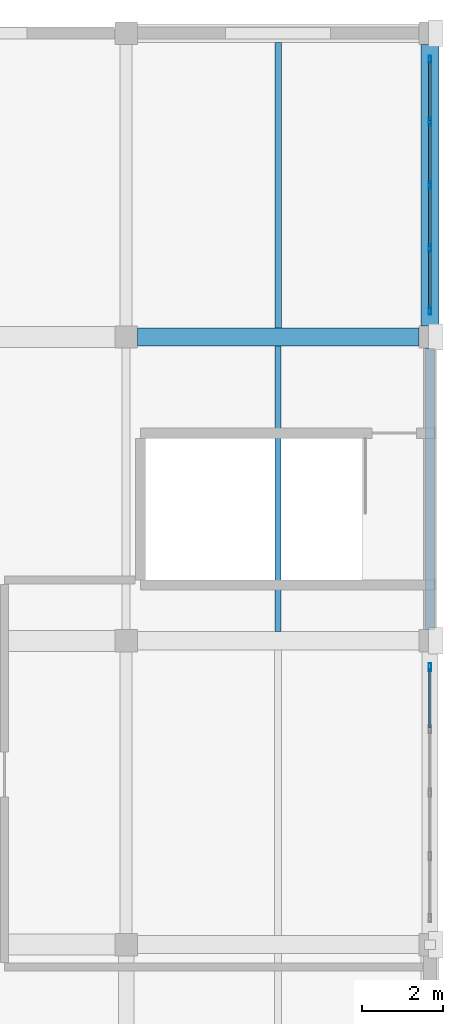
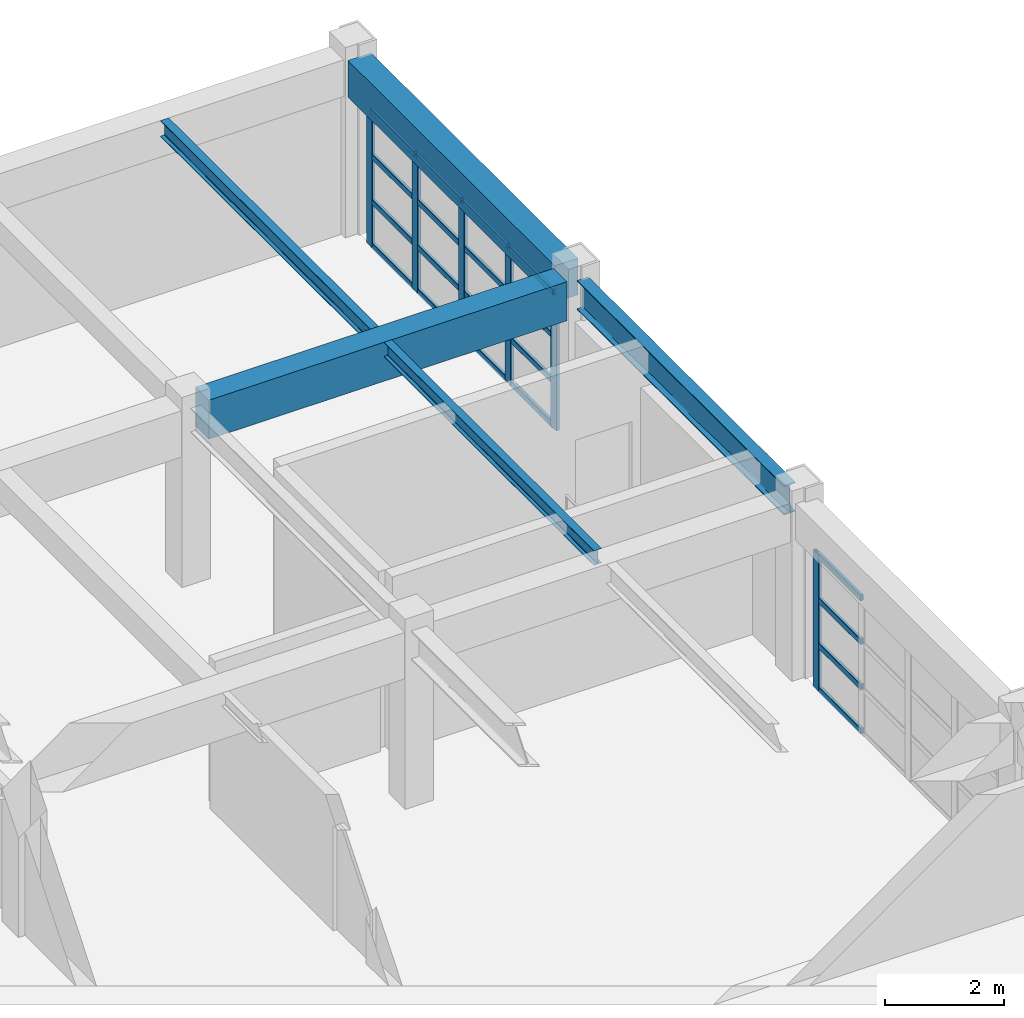
# One storey, part 60 of 101: 26 members, 5 beams, 2 elements without a shape of their own.
"""IFC4 building model written with IfcOpenShell, lengths in metres."""

from ifc_helpers import new_model, si_unit, direction, frame, origin, origin_2d, place, context, subcontext, project, spatial, rectangle, hollow_rectangle, i_section, extrude, material, material_profile, profile_set, type_object, element, aggregate, save


model = new_model("IFC4")

# Units and contexts
model_context = context("Model", 3, precision=1e-05, world=origin(), true_north=direction((0.0, 1.0)))
body_context = subcontext(model_context, "Body", "Model", "MODEL_VIEW")
ifc_project = project(units=[si_unit("LENGTHUNIT", "METRE"), si_unit("AREAUNIT", "SQUARE_METRE"), si_unit("VOLUMEUNIT", "CUBIC_METRE"), si_unit("PLANEANGLEUNIT", "RADIAN"), si_unit("MASSUNIT", "GRAM", prefix="KILO")], contexts=[model_context])

# Site, building, storey
site_placement = place(None, origin())
site = spatial("IfcSite", under=ifc_project, at=site_placement, CompositionType="ELEMENT")
building_placement = place(site_placement, origin())
building = spatial("IfcBuilding", under=site, at=building_placement, Name="Qasida Concert Hall", CompositionType="ELEMENT")
storey_placement = place(building_placement, frame((0.0, 0.0, 13.199951171875)))
storey = spatial("IfcBuildingStorey", under=building, at=storey_placement, Name="L03", CompositionType="ELEMENT", Elevation=13.199951171875)

# Beams
ifc_material_1 = material(Name="Concrete C40/50", Category="concrete")
ifc_material_profile_1 = material_profile(ifc_material_1, rectangle(XDim=0.449951171875, YDim=0.800048828125, at=origin_2d()), Name="RC 450x800")
ifc_profile_set_1 = profile_set([ifc_material_profile_1], Name="Concrete C40/50")
beam_type_1 = type_object("IfcBeamType", Name="BM-G2", PredefinedType="USERDEFINED", material=ifc_profile_set_1)
beam_1_placement = place(storey_placement, frame((157.77490234375, 105.0, 3.219970703125), z_axis=(1.0, 0.0, 0.0), x_axis=(0.0, 1.0, 0.0)))
element("IfcBeam", 1, at=beam_1_placement, inside=storey, type_object=beam_type_1, Name="Primary girder 1680", ObjectType="GIRDER", PredefinedType="USERDEFINED", context=body_context, shape_type="SweptSolid", body=[
    extrude(rectangle(XDim=0.449951171875, YDim=0.800048828125, at=origin_2d()), origin(), (0.0, 0.0, 1.0), 6.9501953125),
])
ifc_material_2 = material(Name="Steel S355J2", Category="steel")
ifc_material_profile_2 = material_profile(ifc_material_2, i_section(OverallWidth=0.14990234375, OverallDepth=0.300048828125, WebThickness=0.007080078125, FlangeThickness=0.0107421875, FilletRadius=0.014892578125, at=origin_2d()), Name="IPE 300")
ifc_profile_set_2 = profile_set([ifc_material_profile_2], Name="Steel S355J2")
beam_type_2 = type_object("IfcBeamType", Name="BM-J4", PredefinedType="JOIST", material=ifc_profile_set_2)
beam_2_placement = place(storey_placement, frame((161.25, 97.72509765625, 3.469970703125), z_axis=(0.0, 1.0, 0.0), x_axis=(-1.0, 0.0, 0.0)))
element("IfcBeam", 2, at=beam_2_placement, inside=storey, type_object=beam_type_2, Name="L03 secondary joist 1731", PredefinedType="JOIST", context=body_context, shape_type="SweptSolid", body=[
    extrude(i_section(OverallWidth=0.14990234375, OverallDepth=0.300048828125, WebThickness=0.007080078125, FlangeThickness=0.0107421875, FilletRadius=0.014892578125, at=origin_2d()), origin(), (0.0, 0.0, 1.0), 7.0498046875),
])
ifc_material_profile_3 = material_profile(ifc_material_2, i_section(OverallWidth=0.159912109375, OverallDepth=0.330078125, WebThickness=0.007568359375, FlangeThickness=0.011474609375, FilletRadius=0.01806640625, at=origin_2d()), Name="IPE 330")
ifc_profile_set_3 = profile_set([ifc_material_profile_3], Name="Steel S355J2")
beam_type_3 = type_object("IfcBeamType", Name="BM-J5", PredefinedType="JOIST", material=ifc_profile_set_3)
beam_3_placement = place(storey_placement, frame((161.25, 105.22509765625, 3.455078125), z_axis=(0.0, 1.0, 0.0), x_axis=(-1.0, 0.0, 0.0)))
element("IfcBeam", 3, at=beam_3_placement, inside=storey, type_object=beam_type_3, Name="L03 secondary joist 1732", PredefinedType="JOIST", context=body_context, shape_type="SweptSolid", body=[
    extrude(i_section(OverallWidth=0.159912109375, OverallDepth=0.330078125, WebThickness=0.007568359375, FlangeThickness=0.011474609375, FilletRadius=0.01806640625, at=origin_2d()), origin(), (0.0, 0.0, 1.0), 7.0498046875),
])
ifc_material_profile_4 = material_profile(ifc_material_2, i_section(OverallWidth=0.219970703125, OverallDepth=0.60009765625, WebThickness=0.011962890625, FlangeThickness=0.01904296875, FilletRadius=0.02392578125, at=origin_2d()), Name="IPE 600")
ifc_profile_set_4 = profile_set([ifc_material_profile_4], Name="Steel S355J2")
beam_type_4 = type_object("IfcBeamType", Name="BM-SP3", PredefinedType="SPANDREL", material=ifc_profile_set_4)
beam_4_placement = place(storey_placement, frame((165.0, 97.77490234375, 3.320068359375), z_axis=(0.0, 1.0, 0.0), x_axis=(-1.0, 0.0, 0.0)))
element("IfcBeam", 4, at=beam_4_placement, inside=storey, type_object=beam_type_4, Name="L03 girder 1712", PredefinedType="SPANDREL", context=body_context, shape_type="SweptSolid", body=[
    extrude(i_section(OverallWidth=0.219970703125, OverallDepth=0.60009765625, WebThickness=0.011962890625, FlangeThickness=0.01904296875, FilletRadius=0.02392578125, at=origin_2d()), origin(), (0.0, 0.0, 1.0), 6.9501953125),
])
ifc_material_profile_5 = material_profile(ifc_material_1, rectangle(XDim=0.449951171875, YDim=0.75, at=origin_2d()), Name="RC 450x750")
ifc_profile_set_5 = profile_set([ifc_material_profile_5], Name="Concrete C40/50")
beam_type_5 = type_object("IfcBeamType", Name="BM-SP4", PredefinedType="SPANDREL", material=ifc_profile_set_5)
beam_5_placement = place(storey_placement, frame((165.0, 105.27490234375, 3.2451171875), z_axis=(0.0, 1.0, 0.0), x_axis=(-1.0, 0.0, 0.0)))
element("IfcBeam", 5, at=beam_5_placement, inside=storey, type_object=beam_type_5, Name="L03 girder 1713", PredefinedType="SPANDREL", context=body_context, shape_type="SweptSolid", body=[
    extrude(rectangle(XDim=0.449951171875, YDim=0.75, at=origin_2d()), origin(), (0.0, 0.0, 1.0), 6.9501953125),
])

# Curtain wall, member
ifc_material_3 = material(Name="Architectural bronze-anodized aluminium and low-E glass", Category="aluminium")
curtain_wall_type = type_object("IfcCurtainWallType", Name="CW-11", PredefinedType="NOTDEFINED", material=ifc_material_3)
curtain_wall_1_placement = place(storey_placement, origin())
curtain_wall_1 = element("IfcCurtainWall", 6, at=curtain_wall_1_placement, inside=storey, type_object=curtain_wall_type, Name="L03 curtain wall CW-11 0178", PredefinedType="NOTDEFINED")
ifc_material_4 = material(Name="Architectural bronze-anodized aluminium EN AW-6063", Category="aluminium")
ifc_material_profile_6 = material_profile(ifc_material_4, hollow_rectangle(XDim=0.06494140625, YDim=0.199951171875, WallThickness=0.0048828125, InnerFilletRadius=0.0048828125, OuterFilletRadius=0.010009765625, at=origin_2d()), Name="CWM 200x65x5")
ifc_profile_set_6 = profile_set([ifc_material_profile_6], Name="Architectural bronze-anodized aluminium EN AW-6063")
member_type_1 = type_object("IfcMemberType", Name="MB-CWM-2", PredefinedType="MULLION", material=ifc_profile_set_6)
member_1_placement = place(storey_placement, frame((165.0, 96.847412109375, 0.0), z_axis=(0.0, 0.0, 1.0), x_axis=(-1.0, 0.0, 0.0)))
member_1 = element("IfcMember", 7, at=member_1_placement, type_object=member_type_1, Name="CW-11 mullion 5", PredefinedType="MULLION", context=body_context, shape_type="SweptSolid", body=[
    extrude(hollow_rectangle(XDim=0.06494140625, YDim=0.199951171875, WallThickness=0.0048828125, InnerFilletRadius=0.0048828125, OuterFilletRadius=0.010009765625, at=origin_2d()), origin(), (0.0, 0.0, 1.0), 2.7900390625),
])

# Curtain wall, members
curtain_wall_2_placement = place(storey_placement, origin())
curtain_wall_2 = element("IfcCurtainWall", 8, at=curtain_wall_2_placement, inside=storey, type_object=curtain_wall_type, Name="L03 curtain wall CW-11 0179", PredefinedType="NOTDEFINED")
member_2_placement = place(storey_placement, frame((165.0, 105.652587890625, 0.0), z_axis=(0.0, 0.0, 1.0), x_axis=(-1.0, 0.0, 0.0)))
member_2 = element("IfcMember", 9, at=member_2_placement, type_object=member_type_1, Name="CW-11 mullion 1", PredefinedType="MULLION", context=body_context, shape_type="SweptSolid", body=[
    extrude(hollow_rectangle(XDim=0.06494140625, YDim=0.199951171875, WallThickness=0.0048828125, InnerFilletRadius=0.0048828125, OuterFilletRadius=0.010009765625, at=origin_2d()), origin(), (0.0, 0.0, 1.0), 2.7900390625),
])
member_3_placement = place(storey_placement, frame((165.0, 107.18505859375, 0.0), z_axis=(0.0, 0.0, 1.0), x_axis=(-1.0, 0.0, 0.0)))
member_3 = element("IfcMember", 10, at=member_3_placement, type_object=member_type_1, Name="CW-11 mullion 2", PredefinedType="MULLION", context=body_context, shape_type="SweptSolid", body=[
    extrude(hollow_rectangle(XDim=0.06494140625, YDim=0.199951171875, WallThickness=0.0048828125, InnerFilletRadius=0.0048828125, OuterFilletRadius=0.010009765625, at=origin_2d()), origin(), (0.0, 0.0, 1.0), 2.7900390625),
])
member_4_placement = place(storey_placement, frame((165.0, 108.75, 0.0), z_axis=(0.0, 0.0, 1.0), x_axis=(-1.0, 0.0, 0.0)))
member_4 = element("IfcMember", 11, at=member_4_placement, type_object=member_type_1, Name="CW-11 mullion 3", PredefinedType="MULLION", context=body_context, shape_type="SweptSolid", body=[
    extrude(hollow_rectangle(XDim=0.06494140625, YDim=0.199951171875, WallThickness=0.0048828125, InnerFilletRadius=0.0048828125, OuterFilletRadius=0.010009765625, at=origin_2d()), origin(), (0.0, 0.0, 1.0), 2.7900390625),
])
member_5_placement = place(storey_placement, frame((165.0, 110.31494140625, 0.0), z_axis=(0.0, 0.0, 1.0), x_axis=(-1.0, 0.0, 0.0)))
member_5 = element("IfcMember", 12, at=member_5_placement, type_object=member_type_1, Name="CW-11 mullion 4", PredefinedType="MULLION", context=body_context, shape_type="SweptSolid", body=[
    extrude(hollow_rectangle(XDim=0.06494140625, YDim=0.199951171875, WallThickness=0.0048828125, InnerFilletRadius=0.0048828125, OuterFilletRadius=0.010009765625, at=origin_2d()), origin(), (0.0, 0.0, 1.0), 2.7900390625),
])
member_6_placement = place(storey_placement, frame((165.0, 111.847412109375, 0.0), z_axis=(0.0, 0.0, 1.0), x_axis=(-1.0, 0.0, 0.0)))
member_6 = element("IfcMember", 13, at=member_6_placement, type_object=member_type_1, Name="CW-11 mullion 5", PredefinedType="MULLION", context=body_context, shape_type="SweptSolid", body=[
    extrude(hollow_rectangle(XDim=0.06494140625, YDim=0.199951171875, WallThickness=0.0048828125, InnerFilletRadius=0.0048828125, OuterFilletRadius=0.010009765625, at=origin_2d()), origin(), (0.0, 0.0, 1.0), 2.7900390625),
])

# Member
ifc_material_profile_7 = material_profile(ifc_material_4, hollow_rectangle(XDim=0.06005859375, YDim=0.1201171875, WallThickness=0.00390625, InnerFilletRadius=0.00390625, OuterFilletRadius=0.008056640625, at=origin_2d()), Name="CWT 120x60x4")
ifc_profile_set_7 = profile_set([ifc_material_profile_7], Name="Architectural bronze-anodized aluminium EN AW-6063")
member_type_2 = type_object("IfcMemberType", Name="MB-CWT-2", PredefinedType="USERDEFINED", material=ifc_profile_set_7)
member_7_placement = place(storey_placement, frame((165.0, 95.347412109375, 0.030029296875), z_axis=(0.0, 1.0, 0.0), x_axis=(-1.0, 0.0, 0.0)))
member_7 = element("IfcMember", 14, at=member_7_placement, type_object=member_type_2, Name="CW-11 transom 4.1", ObjectType="TRANSOM", PredefinedType="USERDEFINED", context=body_context, shape_type="SweptSolid", body=[
    extrude(hollow_rectangle(XDim=0.06005859375, YDim=0.1201171875, WallThickness=0.00390625, InnerFilletRadius=0.00390625, OuterFilletRadius=0.008056640625, at=origin_2d()), origin(), (0.0, 0.0, 1.0), 1.467529296875),
])

member_8_placement = place(storey_placement, frame((165.0, 95.347412109375, 0.929931640625), z_axis=(0.0, 1.0, 0.0), x_axis=(-1.0, 0.0, 0.0)))
member_8 = element("IfcMember", 15, at=member_8_placement, type_object=member_type_2, Name="CW-11 transom 4.2", ObjectType="TRANSOM", PredefinedType="USERDEFINED", context=body_context, shape_type="SweptSolid", body=[
    extrude(hollow_rectangle(XDim=0.06005859375, YDim=0.1201171875, WallThickness=0.00390625, InnerFilletRadius=0.00390625, OuterFilletRadius=0.008056640625, at=origin_2d()), origin(), (0.0, 0.0, 1.0), 1.467529296875),
])

member_9_placement = place(storey_placement, frame((165.0, 95.347412109375, 1.860107421875), z_axis=(0.0, 1.0, 0.0), x_axis=(-1.0, 0.0, 0.0)))
member_9 = element("IfcMember", 16, at=member_9_placement, type_object=member_type_2, Name="CW-11 transom 4.3", ObjectType="TRANSOM", PredefinedType="USERDEFINED", context=body_context, shape_type="SweptSolid", body=[
    extrude(hollow_rectangle(XDim=0.06005859375, YDim=0.1201171875, WallThickness=0.00390625, InnerFilletRadius=0.00390625, OuterFilletRadius=0.008056640625, at=origin_2d()), origin(), (0.0, 0.0, 1.0), 1.467529296875),
])

member_10_placement = place(storey_placement, frame((165.0, 95.347412109375, 2.760009765625), z_axis=(0.0, 1.0, 0.0), x_axis=(-1.0, 0.0, 0.0)))
member_10 = element("IfcMember", 17, at=member_10_placement, type_object=member_type_2, Name="CW-11 transom 4.4", ObjectType="TRANSOM", PredefinedType="USERDEFINED", context=body_context, shape_type="SweptSolid", body=[
    extrude(hollow_rectangle(XDim=0.06005859375, YDim=0.1201171875, WallThickness=0.00390625, InnerFilletRadius=0.00390625, OuterFilletRadius=0.008056640625, at=origin_2d()), origin(), (0.0, 0.0, 1.0), 1.467529296875),
])

aggregate(curtain_wall_1, [member_1, member_7, member_8, member_9, member_10])

member_11_placement = place(storey_placement, frame((165.0, 105.68505859375, 0.030029296875), z_axis=(0.0, 1.0, 0.0), x_axis=(-1.0, 0.0, 0.0)))
member_11 = element("IfcMember", 18, at=member_11_placement, type_object=member_type_2, Name="CW-11 transom 1.1", ObjectType="TRANSOM", PredefinedType="USERDEFINED", context=body_context, shape_type="SweptSolid", body=[
    extrude(hollow_rectangle(XDim=0.06005859375, YDim=0.1201171875, WallThickness=0.00390625, InnerFilletRadius=0.00390625, OuterFilletRadius=0.008056640625, at=origin_2d()), origin(), (0.0, 0.0, 1.0), 1.467529296875),
])

member_12_placement = place(storey_placement, frame((165.0, 105.68505859375, 0.929931640625), z_axis=(0.0, 1.0, 0.0), x_axis=(-1.0, 0.0, 0.0)))
member_12 = element("IfcMember", 19, at=member_12_placement, type_object=member_type_2, Name="CW-11 transom 1.2", ObjectType="TRANSOM", PredefinedType="USERDEFINED", context=body_context, shape_type="SweptSolid", body=[
    extrude(hollow_rectangle(XDim=0.06005859375, YDim=0.1201171875, WallThickness=0.00390625, InnerFilletRadius=0.00390625, OuterFilletRadius=0.008056640625, at=origin_2d()), origin(), (0.0, 0.0, 1.0), 1.467529296875),
])

member_13_placement = place(storey_placement, frame((165.0, 105.68505859375, 1.860107421875), z_axis=(0.0, 1.0, 0.0), x_axis=(-1.0, 0.0, 0.0)))
member_13 = element("IfcMember", 20, at=member_13_placement, type_object=member_type_2, Name="CW-11 transom 1.3", ObjectType="TRANSOM", PredefinedType="USERDEFINED", context=body_context, shape_type="SweptSolid", body=[
    extrude(hollow_rectangle(XDim=0.06005859375, YDim=0.1201171875, WallThickness=0.00390625, InnerFilletRadius=0.00390625, OuterFilletRadius=0.008056640625, at=origin_2d()), origin(), (0.0, 0.0, 1.0), 1.467529296875),
])

member_14_placement = place(storey_placement, frame((165.0, 105.68505859375, 2.760009765625), z_axis=(0.0, 1.0, 0.0), x_axis=(-1.0, 0.0, 0.0)))
member_14 = element("IfcMember", 21, at=member_14_placement, type_object=member_type_2, Name="CW-11 transom 1.4", ObjectType="TRANSOM", PredefinedType="USERDEFINED", context=body_context, shape_type="SweptSolid", body=[
    extrude(hollow_rectangle(XDim=0.06005859375, YDim=0.1201171875, WallThickness=0.00390625, InnerFilletRadius=0.00390625, OuterFilletRadius=0.008056640625, at=origin_2d()), origin(), (0.0, 0.0, 1.0), 1.467529296875),
])

member_15_placement = place(storey_placement, frame((165.0, 107.217529296875, 0.030029296875), z_axis=(0.0, 1.0, 0.0), x_axis=(-1.0, 0.0, 0.0)))
member_15 = element("IfcMember", 22, at=member_15_placement, type_object=member_type_2, Name="CW-11 transom 2.1", ObjectType="TRANSOM", PredefinedType="USERDEFINED", context=body_context, shape_type="SweptSolid", body=[
    extrude(hollow_rectangle(XDim=0.06005859375, YDim=0.1201171875, WallThickness=0.00390625, InnerFilletRadius=0.00390625, OuterFilletRadius=0.008056640625, at=origin_2d()), origin(), (0.0, 0.0, 1.0), 1.5),
])

member_16_placement = place(storey_placement, frame((165.0, 107.217529296875, 0.929931640625), z_axis=(0.0, 1.0, 0.0), x_axis=(-1.0, 0.0, 0.0)))
member_16 = element("IfcMember", 23, at=member_16_placement, type_object=member_type_2, Name="CW-11 transom 2.2", ObjectType="TRANSOM", PredefinedType="USERDEFINED", context=body_context, shape_type="SweptSolid", body=[
    extrude(hollow_rectangle(XDim=0.06005859375, YDim=0.1201171875, WallThickness=0.00390625, InnerFilletRadius=0.00390625, OuterFilletRadius=0.008056640625, at=origin_2d()), origin(), (0.0, 0.0, 1.0), 1.5),
])

member_17_placement = place(storey_placement, frame((165.0, 107.217529296875, 1.860107421875), z_axis=(0.0, 1.0, 0.0), x_axis=(-1.0, 0.0, 0.0)))
member_17 = element("IfcMember", 24, at=member_17_placement, type_object=member_type_2, Name="CW-11 transom 2.3", ObjectType="TRANSOM", PredefinedType="USERDEFINED", context=body_context, shape_type="SweptSolid", body=[
    extrude(hollow_rectangle(XDim=0.06005859375, YDim=0.1201171875, WallThickness=0.00390625, InnerFilletRadius=0.00390625, OuterFilletRadius=0.008056640625, at=origin_2d()), origin(), (0.0, 0.0, 1.0), 1.5),
])

member_18_placement = place(storey_placement, frame((165.0, 107.217529296875, 2.760009765625), z_axis=(0.0, 1.0, 0.0), x_axis=(-1.0, 0.0, 0.0)))
member_18 = element("IfcMember", 25, at=member_18_placement, type_object=member_type_2, Name="CW-11 transom 2.4", ObjectType="TRANSOM", PredefinedType="USERDEFINED", context=body_context, shape_type="SweptSolid", body=[
    extrude(hollow_rectangle(XDim=0.06005859375, YDim=0.1201171875, WallThickness=0.00390625, InnerFilletRadius=0.00390625, OuterFilletRadius=0.008056640625, at=origin_2d()), origin(), (0.0, 0.0, 1.0), 1.5),
])

member_19_placement = place(storey_placement, frame((165.0, 108.782470703125, 0.030029296875), z_axis=(0.0, 1.0, 0.0), x_axis=(-1.0, 0.0, 0.0)))
member_19 = element("IfcMember", 26, at=member_19_placement, type_object=member_type_2, Name="CW-11 transom 3.1", ObjectType="TRANSOM", PredefinedType="USERDEFINED", context=body_context, shape_type="SweptSolid", body=[
    extrude(hollow_rectangle(XDim=0.06005859375, YDim=0.1201171875, WallThickness=0.00390625, InnerFilletRadius=0.00390625, OuterFilletRadius=0.008056640625, at=origin_2d()), origin(), (0.0, 0.0, 1.0), 1.5),
])

member_20_placement = place(storey_placement, frame((165.0, 108.782470703125, 0.929931640625), z_axis=(0.0, 1.0, 0.0), x_axis=(-1.0, 0.0, 0.0)))
member_20 = element("IfcMember", 27, at=member_20_placement, type_object=member_type_2, Name="CW-11 transom 3.2", ObjectType="TRANSOM", PredefinedType="USERDEFINED", context=body_context, shape_type="SweptSolid", body=[
    extrude(hollow_rectangle(XDim=0.06005859375, YDim=0.1201171875, WallThickness=0.00390625, InnerFilletRadius=0.00390625, OuterFilletRadius=0.008056640625, at=origin_2d()), origin(), (0.0, 0.0, 1.0), 1.5),
])

member_21_placement = place(storey_placement, frame((165.0, 108.782470703125, 1.860107421875), z_axis=(0.0, 1.0, 0.0), x_axis=(-1.0, 0.0, 0.0)))
member_21 = element("IfcMember", 28, at=member_21_placement, type_object=member_type_2, Name="CW-11 transom 3.3", ObjectType="TRANSOM", PredefinedType="USERDEFINED", context=body_context, shape_type="SweptSolid", body=[
    extrude(hollow_rectangle(XDim=0.06005859375, YDim=0.1201171875, WallThickness=0.00390625, InnerFilletRadius=0.00390625, OuterFilletRadius=0.008056640625, at=origin_2d()), origin(), (0.0, 0.0, 1.0), 1.5),
])

member_22_placement = place(storey_placement, frame((165.0, 108.782470703125, 2.760009765625), z_axis=(0.0, 1.0, 0.0), x_axis=(-1.0, 0.0, 0.0)))
member_22 = element("IfcMember", 29, at=member_22_placement, type_object=member_type_2, Name="CW-11 transom 3.4", ObjectType="TRANSOM", PredefinedType="USERDEFINED", context=body_context, shape_type="SweptSolid", body=[
    extrude(hollow_rectangle(XDim=0.06005859375, YDim=0.1201171875, WallThickness=0.00390625, InnerFilletRadius=0.00390625, OuterFilletRadius=0.008056640625, at=origin_2d()), origin(), (0.0, 0.0, 1.0), 1.5),
])

member_23_placement = place(storey_placement, frame((165.0, 110.347412109375, 0.030029296875), z_axis=(0.0, 1.0, 0.0), x_axis=(-1.0, 0.0, 0.0)))
member_23 = element("IfcMember", 30, at=member_23_placement, type_object=member_type_2, Name="CW-11 transom 4.1", ObjectType="TRANSOM", PredefinedType="USERDEFINED", context=body_context, shape_type="SweptSolid", body=[
    extrude(hollow_rectangle(XDim=0.06005859375, YDim=0.1201171875, WallThickness=0.00390625, InnerFilletRadius=0.00390625, OuterFilletRadius=0.008056640625, at=origin_2d()), origin(), (0.0, 0.0, 1.0), 1.467529296875),
])

member_24_placement = place(storey_placement, frame((165.0, 110.347412109375, 0.929931640625), z_axis=(0.0, 1.0, 0.0), x_axis=(-1.0, 0.0, 0.0)))
member_24 = element("IfcMember", 31, at=member_24_placement, type_object=member_type_2, Name="CW-11 transom 4.2", ObjectType="TRANSOM", PredefinedType="USERDEFINED", context=body_context, shape_type="SweptSolid", body=[
    extrude(hollow_rectangle(XDim=0.06005859375, YDim=0.1201171875, WallThickness=0.00390625, InnerFilletRadius=0.00390625, OuterFilletRadius=0.008056640625, at=origin_2d()), origin(), (0.0, 0.0, 1.0), 1.467529296875),
])

member_25_placement = place(storey_placement, frame((165.0, 110.347412109375, 1.860107421875), z_axis=(0.0, 1.0, 0.0), x_axis=(-1.0, 0.0, 0.0)))
member_25 = element("IfcMember", 32, at=member_25_placement, type_object=member_type_2, Name="CW-11 transom 4.3", ObjectType="TRANSOM", PredefinedType="USERDEFINED", context=body_context, shape_type="SweptSolid", body=[
    extrude(hollow_rectangle(XDim=0.06005859375, YDim=0.1201171875, WallThickness=0.00390625, InnerFilletRadius=0.00390625, OuterFilletRadius=0.008056640625, at=origin_2d()), origin(), (0.0, 0.0, 1.0), 1.467529296875),
])

member_26_placement = place(storey_placement, frame((165.0, 110.347412109375, 2.760009765625), z_axis=(0.0, 1.0, 0.0), x_axis=(-1.0, 0.0, 0.0)))
member_26 = element("IfcMember", 33, at=member_26_placement, type_object=member_type_2, Name="CW-11 transom 4.4", ObjectType="TRANSOM", PredefinedType="USERDEFINED", context=body_context, shape_type="SweptSolid", body=[
    extrude(hollow_rectangle(XDim=0.06005859375, YDim=0.1201171875, WallThickness=0.00390625, InnerFilletRadius=0.00390625, OuterFilletRadius=0.008056640625, at=origin_2d()), origin(), (0.0, 0.0, 1.0), 1.467529296875),
])

aggregate(curtain_wall_2, [member_2, member_3, member_4, member_5, member_6, member_11, member_12, member_13, member_14, member_15, member_16, member_17, member_18, member_19, member_20, member_21, member_22, member_23, member_24, member_25, member_26])

save(model, "model.ifc")
